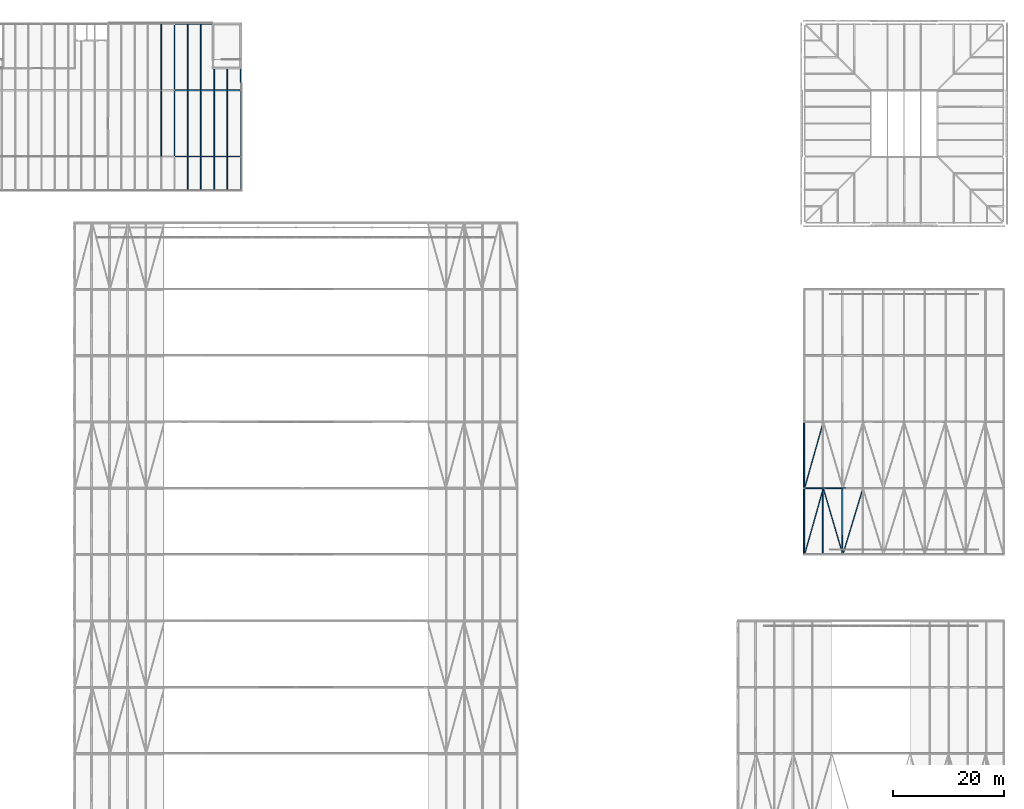
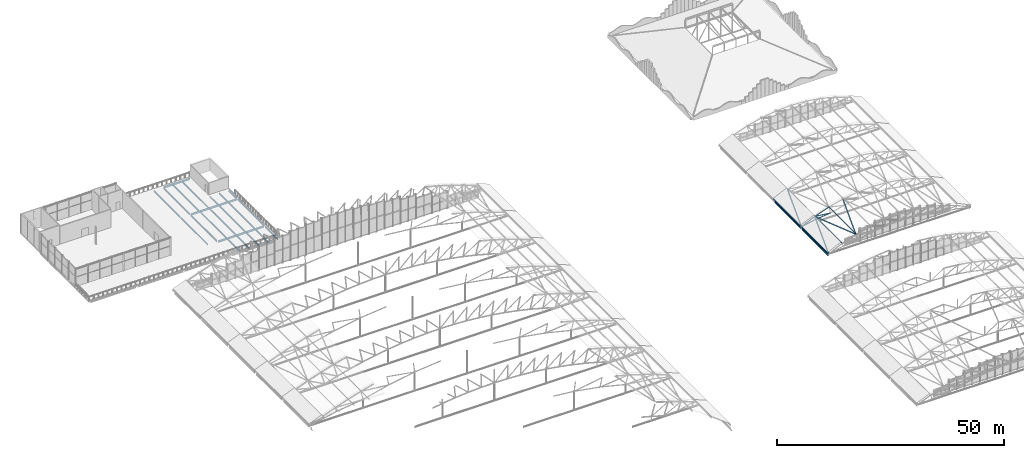
# One storey, part 206 of 321: 24 beams, 13 members.
"""IFC4 building model written with IfcOpenShell, lengths in metres."""

import ifcopenshell
import ifcopenshell.guid

model = None  # the IFC model being written
_history = None  # IfcOwnerHistory: only IFC2X3 demands one
_inside = {}  # id of a spatial element -> (the spatial element, [elements in it])
_under = {}  # id of a project, library or spatial element -> (it, [spatial elements below it])
_declared = {}  # id of a project -> (the project, [libraries it declares])
_typed = {}  # id of a type object -> (the type object, [elements of that type])
_made_of = {}  # id of a material, layer set ... -> (it, [elements and type objects made of it])


def new_model(schema):
    """Start an empty IFC model of exactly this schema.

    Asked for "IFC4X3", IfcOpenShell would pick the latest addendum, in which some entities
    have other attributes; the version numbers below select the first issue.
    IFC2X3 requires an IfcOwnerHistory on every rooted entity: one is made here for all.
    """
    global model, _history
    if schema == "IFC4X3":
        model = ifcopenshell.file(schema_version=(4, 3, 0, 0))
    else:
        model = ifcopenshell.file(schema=schema)
    _inside.clear()
    _under.clear()
    _declared.clear()
    _typed.clear()
    _made_of.clear()
    _history = None
    if model.schema == "IFC2X3":
        org = make("IfcOrganization", Name="unknown")
        user = make(
            "IfcPersonAndOrganization",
            ThePerson=make("IfcPerson", FamilyName="unknown"),
            TheOrganization=org,
        )
        app = make(
            "IfcApplication",
            ApplicationDeveloper=org,
            Version="unknown",
            ApplicationFullName="unknown",
            ApplicationIdentifier="unknown",
        )
        _history = make(
            "IfcOwnerHistory",
            OwningUser=user,
            OwningApplication=app,
            ChangeAction="ADDED",
            CreationDate=0,
        )
    return model


def make(cls, **values):
    """One entity of the class cls with the attributes given. An attribute that is None is left unset."""
    return model.create_entity(
        cls, **{name: value for name, value in values.items() if value is not None}
    )


def rooted(cls, **values):
    """An entity with a GlobalId (a new one), such as an element, a storey or a relation."""
    return make(cls, GlobalId=ifcopenshell.guid.new(), OwnerHistory=_history, **values)


def si_unit(unit_type, name, prefix=None):
    """IfcSIUnit, for example si_unit("LENGTHUNIT", "METRE", prefix="MILLI")."""
    return make("IfcSIUnit", UnitType=unit_type, Prefix=prefix, Name=name)


def assignment(units):
    """IfcUnitAssignment: the units of a project."""
    return None if units is None else make("IfcUnitAssignment", Units=units)


def point(xyz):
    """IfcCartesianPoint."""
    return None if xyz is None else make("IfcCartesianPoint", Coordinates=xyz)


def direction(xyz):
    """IfcDirection."""
    return None if xyz is None else make("IfcDirection", DirectionRatios=xyz)


def frame(location, z_axis=None, x_axis=None):
    """IfcAxis2Placement3D, a coordinate frame: its origin and axes. An axis left out is left unset."""
    return make(
        "IfcAxis2Placement3D",
        Location=point(location),
        Axis=direction(z_axis),
        RefDirection=direction(x_axis),
    )


def frame_2d(location, x_axis=None):
    """IfcAxis2Placement2D, a coordinate frame in the plane: its origin and x axis."""
    return make(
        "IfcAxis2Placement2D", Location=point(location), RefDirection=direction(x_axis)
    )


def origin():
    """The frame at (0, 0, 0) with its axes left unset."""
    return frame((0.0, 0.0, 0.0))


def origin_2d():
    """The frame at (0, 0) in the plane with its x axis left unset."""
    return frame_2d((0.0, 0.0))


def place(relative_to, where):
    """IfcLocalPlacement: puts the frame where relative to a parent placement (None: the world)."""
    return make(
        "IfcLocalPlacement", PlacementRelTo=relative_to, RelativePlacement=where
    )


def context(
    kind, dimensions, precision=None, world=None, true_north=None, identifier=None
):
    """IfcGeometricRepresentationContext, for example the 3D "Model" context."""
    return make(
        "IfcGeometricRepresentationContext",
        ContextIdentifier=identifier,
        ContextType=kind,
        CoordinateSpaceDimension=dimensions,
        Precision=precision,
        WorldCoordinateSystem=world,
        TrueNorth=true_north,
    )


def subcontext(parent, identifier, kind, view, scale=None):
    """IfcGeometricRepresentationSubContext, for example "Body" below "Model"."""
    return make(
        "IfcGeometricRepresentationSubContext",
        ContextIdentifier=identifier,
        ContextType=kind,
        ParentContext=parent,
        TargetScale=scale,
        TargetView=view,
    )


def project(units=None, contexts=None):
    """IfcProject with its units and contexts."""
    return rooted(
        "IfcProject",
        Name="project",
        RepresentationContexts=contexts,
        UnitsInContext=assignment(units),
    )


def spatial(cls, under=None, at=None, **own):
    """A site, building, storey or space (cls), placed at a placement, below another one or the project."""
    s = rooted(cls, ObjectPlacement=at, **own)
    if under is not None:
        _under.setdefault(under.id(), (under, []))[1].append(s)
    return s


def profile(cls, at=None, kind="AREA", **sizes):
    """A parametric profile (cls). Its sizes go by their IFC names, for example OverallWidth=200.0."""
    return make(cls, ProfileType=kind, Position=at, **sizes)


def hollow_circle(**sizes):
    """IfcCircleHollowProfileDef."""
    return profile("IfcCircleHollowProfileDef", **sizes)


def i_section(**sizes):
    """IfcIShapeProfileDef."""
    return profile("IfcIShapeProfileDef", **sizes)


def extrude(swept, where, along, depth):
    """IfcExtrudedAreaSolid: the profile swept, set in the frame where, extruded along a direction by depth."""
    return make(
        "IfcExtrudedAreaSolid",
        SweptArea=swept,
        Position=where,
        ExtrudedDirection=direction(along),
        Depth=depth,
    )


def shape(context_of_items, identifier, shape_type, items):
    """IfcShapeRepresentation: the items that make up one representation, for example the "Body"."""
    return make(
        "IfcShapeRepresentation",
        ContextOfItems=context_of_items,
        RepresentationIdentifier=identifier,
        RepresentationType=shape_type,
        Items=items,
    )


def material(Name=None, Category=None):
    """IfcMaterial."""
    return make("IfcMaterial", Name=Name, Category=Category)


def material_profile(
    of_material, cross_section, Name=None, Category=None, Priority=None
):
    """IfcMaterialProfile: a cross section and its material."""
    return make(
        "IfcMaterialProfile",
        Name=Name,
        Material=of_material,
        Profile=cross_section,
        Priority=Priority,
        Category=Category,
    )


def profile_set(profiles, Name=None, composite=None):
    """IfcMaterialProfileSet."""
    return make(
        "IfcMaterialProfileSet",
        Name=Name,
        MaterialProfiles=profiles,
        CompositeProfile=composite,
    )


def made_of(thing, what):
    """Note that an element or type object is made of a material, layer set ...; save() writes the relation."""
    if what is not None:
        _made_of.setdefault(what.id(), (what, []))[1].append(thing)
    return thing


def type_object(cls, material=None, **own):
    """A type object (cls), such as IfcWallType, which elements share."""
    return made_of(rooted(cls, **own), material)


def element(
    cls,
    number,
    at=None,
    inside=None,
    cuts=None,
    type_object=None,
    material=None,
    context=None,
    identifier="Body",
    shape_type=None,
    held_by="IfcProductDefinitionShape",
    body=None,
    shapes=None,
    **own,
):
    """One element of the class cls, such as IfcWall. Its Tag is "e" and its number.

    at: its placement. inside: the storey or other place that contains it. cuts: it is an
    opening in that element (IfcRelVoidsElement). A single representation is given by context,
    identifier, shape_type and body (its items); several are given by shapes. held_by: the class
    of the entity that holds the representations. save() writes the other relations.
    """
    e = rooted(cls, Tag="e%d" % number, ObjectPlacement=at, **own)
    if body is not None:
        shapes = [shape(context, identifier, shape_type, body)]
    if shapes is not None:
        e.Representation = make(held_by, Representations=shapes)
    if inside is not None:
        _inside.setdefault(inside.id(), (inside, []))[1].append(e)
    if cuts is not None:
        rooted(
            "IfcRelVoidsElement", RelatingBuildingElement=cuts, RelatedOpeningElement=e
        )
    if type_object is not None:
        _typed.setdefault(type_object.id(), (type_object, []))[1].append(e)
    return made_of(e, material)


def aggregate(whole, parts):
    """IfcRelAggregates: a whole, such as a stair, and the parts it consists of."""
    return rooted("IfcRelAggregates", RelatingObject=whole, RelatedObjects=parts)


def save(model, path):
    """Write the relations noted so far, then the file.

    IfcRelAggregates (storeys below a building ...), IfcRelContainedInSpatialStructure (elements
    in a storey), IfcRelDefinesByType, IfcRelAssociatesMaterial and IfcRelDeclares: one each for
    every whole, place, type object, material and project.
    """
    for whole, parts in _under.values():
        aggregate(whole, parts)
    for where, things in _inside.values():
        rooted(
            "IfcRelContainedInSpatialStructure",
            RelatedElements=things,
            RelatingStructure=where,
        )
    for kind, things in _typed.values():
        rooted("IfcRelDefinesByType", RelatedObjects=things, RelatingType=kind)
    for what, things in _made_of.values():
        rooted("IfcRelAssociatesMaterial", RelatedObjects=things, RelatingMaterial=what)
    for by, libraries in _declared.values():
        rooted("IfcRelDeclares", RelatingContext=by, RelatedDefinitions=libraries)
    model.write(path)


model = new_model("IFC4")

# Units and contexts
model_context = context("Model", 3, precision=1e-05, world=origin(), true_north=direction((0.0, 1.0)))
body_context = subcontext(model_context, "Body", "Model", "MODEL_VIEW")
ifc_project = project(units=[si_unit("LENGTHUNIT", "METRE"), si_unit("AREAUNIT", "SQUARE_METRE"), si_unit("VOLUMEUNIT", "CUBIC_METRE"), si_unit("PLANEANGLEUNIT", "RADIAN"), si_unit("MASSUNIT", "GRAM", prefix="KILO")], contexts=[model_context])

# Site, building, storey
site_placement = place(None, origin())
site = spatial("IfcSite", under=ifc_project, at=site_placement, CompositionType="ELEMENT")
building_placement = place(site_placement, origin())
building = spatial("IfcBuilding", under=site, at=building_placement, Name="Ravi Spectrum Wholesale Market", CompositionType="ELEMENT")
storey_placement = place(building_placement, frame((0.0, 0.0, 10.800048828125)))
storey = spatial("IfcBuildingStorey", under=building, at=storey_placement, Name="L02", CompositionType="ELEMENT", Elevation=10.800048828125)

# Members
ifc_material_1 = material(Name="Steel S355", Category="steel")
ifc_material_profile_1 = material_profile(ifc_material_1, hollow_circle(Radius=0.06982421875, WallThickness=0.0048828125, at=origin_2d()))
ifc_profile_set_1 = profile_set([ifc_material_profile_1], Name="Steel S355")
member_type_1 = type_object("IfcMemberType", Name="CHS 139.7x5 brace", PredefinedType="BRACE", material=ifc_profile_set_1)
member_1_placement = place(storey_placement, frame((165.38818359375, 150.0, 1.59912109375), z_axis=(0.993531900469, 0.0, -0.113553347597), x_axis=(0.0, 1.0, 0.0)))
element("IfcMember", 1, at=member_1_placement, inside=storey, type_object=member_type_1, Name="H3-MB-L02-070", PredefinedType="BRACE", context=body_context, shape_type="SweptSolid", body=[
    extrude(hollow_circle(Radius=0.06982421875, WallThickness=0.0048828125, at=origin_2d()), origin(), (0.0, 0.0, 1.0), 4.076416015625),
])
ifc_material_2 = material(Name="Steel S355", Category="steel")
ifc_material_profile_2 = material_profile(ifc_material_2, hollow_circle(Radius=0.096923828125, WallThickness=0.00634765625, at=origin_2d()))
ifc_profile_set_2 = profile_set([ifc_material_profile_2], Name="Steel S355")
member_type_2 = type_object("IfcMemberType", Name="CHS 193.7x6.3 brace", PredefinedType="BRACE", material=ifc_profile_set_2)
for number, where, z_axis, x_axis, name in (
    (2, (162.0, 138.0, 0.0), (0.269517878367, 0.954557051268, 0.127204359656), (-0.962374874633, 0.271725230106, 0.0), "H3-MB-L02-245"),
    (3, (165.38818359375, 150.0, 1.59912109375), (0.280683416408, -0.954552776812, 0.100228818382), (0.959383837191, 0.282103975401, 0.0), "H3-MB-L02-246"),
    (4, (168.916748046875, 138.0, 2.859130859375), (0.289132354116, 0.954556251311, 0.072283088529), (-0.957059770141, 0.289890662798, 0.0), "H3-MB-L02-247"),
    (5, (162.0, 150.0, 0.0), (0.269517878367, 0.954557051268, 0.127204359656), (-0.962374874633, 0.271725230106, 0.0), "H3-MB-L02-255"),
):
    element("IfcMember", number, at=place(storey_placement, frame(where, z_axis=z_axis, x_axis=x_axis)), inside=storey, type_object=member_type_2, Name=name, PredefinedType="BRACE", context=body_context, shape_type="SweptSolid", body=[
        extrude(hollow_circle(Radius=0.096923828125, WallThickness=0.00634765625, at=origin_2d()), origin(), (0.0, 0.0, 1.0), 12.5712890625),
    ])
ifc_material_3 = material(Name="Steel S355", Category="steel")
ifc_material_profile_3 = material_profile(ifc_material_3, hollow_circle(Radius=0.122314453125, WallThickness=0.008056640625, at=origin_2d()))
ifc_profile_set_3 = profile_set([ifc_material_profile_3], Name="Steel S355")
member_type_3 = type_object("IfcMemberType", Name="CHS 244.5x8 chord", PredefinedType="CHORD", material=ifc_profile_set_3)
member_2_placement = place(storey_placement, frame((162.0, 150.0, 0.0), z_axis=(0.979511723372, 0.0, 0.201387148987), x_axis=(0.0, 1.0, 0.0)))
element("IfcMember", 6, at=member_2_placement, inside=storey, type_object=member_type_3, Name="H3-MB-L02-051", PredefinedType="CHORD", context=body_context, shape_type="SweptSolid", body=[
    extrude(hollow_circle(Radius=0.122314453125, WallThickness=0.008056640625, at=origin_2d()), origin(), (0.0, 0.0, 1.0), 3.810302734375),
])
member_3_placement = place(storey_placement, frame((165.732177734375, 150.0, 0.767333984375), z_axis=(0.995082518714, 0.0, 0.099049386415), x_axis=(0.0, 1.0, 0.0)))
element("IfcMember", 7, at=member_3_placement, inside=storey, type_object=member_type_3, Name="H3-MB-L02-052", PredefinedType="CHORD", context=body_context, shape_type="SweptSolid", body=[
    extrude(hollow_circle(Radius=0.122314453125, WallThickness=0.008056640625, at=origin_2d()), origin(), (0.0, 0.0, 1.0), 3.724365234375),
])
ifc_material_4 = material(Name="Steel S355", Category="steel")
ifc_material_profile_4 = material_profile(ifc_material_4, hollow_circle(Radius=0.136474609375, WallThickness=0.010009765625, at=origin_2d()))
ifc_profile_set_4 = profile_set([ifc_material_profile_4], Name="Steel S355")
member_type_4 = type_object("IfcMemberType", Name="CHS 273x10 chord", PredefinedType="CHORD", material=ifc_profile_set_4)
member_4_placement = place(storey_placement, frame((162.0, 150.0, 0.0), z_axis=(0.904336690514, 0.0, 0.426819809978), x_axis=(0.0, 1.0, 0.0)))
element("IfcMember", 8, at=member_4_placement, inside=storey, type_object=member_type_4, Name="H3-MB-L02-041", PredefinedType="CHORD", context=body_context, shape_type="SweptSolid", body=[
    extrude(hollow_circle(Radius=0.136474609375, WallThickness=0.010009765625, at=origin_2d()), origin(), (0.0, 0.0, 1.0), 3.74658203125),
])
member_5_placement = place(storey_placement, frame((165.38818359375, 150.0, 1.59912109375), z_axis=(0.941758126801, 0.0, 0.336290990965), x_axis=(0.0, 1.0, 0.0)))
element("IfcMember", 9, at=member_5_placement, inside=storey, type_object=member_type_4, Name="H3-MB-L02-042", PredefinedType="CHORD", context=body_context, shape_type="SweptSolid", body=[
    extrude(hollow_circle(Radius=0.136474609375, WallThickness=0.010009765625, at=origin_2d()), origin(), (0.0, 0.0, 1.0), 3.746826171875),
])
ifc_material_5 = material(Name="Steel S355", Category="steel")
ifc_material_profile_5 = material_profile(ifc_material_5, i_section(OverallWidth=0.135009765625, OverallDepth=0.27001953125, WebThickness=0.006591796875, FlangeThickness=0.01025390625, at=origin_2d()))
ifc_profile_set_5 = profile_set([ifc_material_profile_5], Name="Steel S355")
member_type_5 = type_object("IfcMemberType", Name="IPE 270 purlin", PredefinedType="PURLIN", material=ifc_profile_set_5)
for number, where, z_axis, x_axis, name in (
    (10, (161.872314453125, 138.0, 0.239501953125), (0.0, 1.0, 0.0), (-0.88235294065, 0.0, -0.470588236282), "H3-MB-L02-201"),
    (11, (165.28466796875, 138.0, 1.85009765625), (0.0, 1.0, 0.0), (-0.924159872545, 0.0, -0.382005929244), "H3-MB-L02-202"),
    (12, (168.838134765625, 138.0, 3.118896484375), (0.0, 1.0, 0.0), (-0.957099823898, 0.0, -0.289758394347), "H3-MB-L02-203"),
    (13, (161.872314453125, 150.0, 0.239501953125), (0.0, 1.0, 0.0), (-0.88235294065, 0.0, -0.470588236282), "H3-MB-L02-212"),
):
    element("IfcMember", number, at=place(storey_placement, frame(where, z_axis=z_axis, x_axis=x_axis)), inside=storey, type_object=member_type_5, Name=name, PredefinedType="PURLIN", context=body_context, shape_type="SweptSolid", body=[
        extrude(i_section(OverallWidth=0.135009765625, OverallDepth=0.27001953125, WebThickness=0.006591796875, FlangeThickness=0.01025390625, at=origin_2d()), origin(), (0.0, 0.0, 1.0), 12.0),
    ])

# Beams
ifc_material_6 = material(Name="Steel S355", Category="steel")
ifc_material_profile_6 = material_profile(ifc_material_6, i_section(OverallWidth=0.179931640625, OverallDepth=0.39990234375, WebThickness=0.008544921875, FlangeThickness=0.013427734375, at=origin_2d()))
ifc_profile_set_6 = profile_set([ifc_material_profile_6], Name="Steel S355")
beam_type_1 = type_object("IfcBeamType", Name="IPE 400 girder", PredefinedType="BEAM", material=ifc_profile_set_6)
for number, where, z_axis, x_axis, name in (
    (14, (45.60009765625, 210.10009765625, -0.449951171875), (0.0, 1.0, 0.0), (-1.0, 0.0, 0.0), "OF-BM-L02-064"),
    (15, (45.60009765625, 222.10009765625, -0.449951171875), (0.0, 1.0, 0.0), (-1.0, 0.0, 0.0), "OF-BM-L02-068"),
):
    element("IfcBeam", number, at=place(storey_placement, frame(where, z_axis=z_axis, x_axis=x_axis)), inside=storey, type_object=beam_type_1, Name=name, PredefinedType="BEAM", context=body_context, shape_type="SweptSolid", body=[
        extrude(i_section(OverallWidth=0.179931640625, OverallDepth=0.39990234375, WebThickness=0.008544921875, FlangeThickness=0.013427734375, at=origin_2d()), origin(), (0.0, 0.0, 1.0), 11.7998046875),
    ])
for number, where, z_axis, x_axis, name in (
    (16, (50.39990234375, 204.10009765625, -0.449951171875), (0.0, 1.0, 0.0), (-1.0, 0.0, 0.0), "OF-BM-L02-069"),
    (17, (52.800048828125, 204.10009765625, -0.449951171875), (0.0, 1.0, 0.0), (-1.0, 0.0, 0.0), "OF-BM-L02-070"),
    (18, (55.199951171875, 204.10009765625, -0.449951171875), (0.0, 1.0, 0.0), (-1.0, 0.0, 0.0), "OF-BM-L02-071"),
    (19, (57.60009765625, 204.10009765625, -0.449951171875), (0.0, 1.0, 0.0), (-1.0, 0.0, 0.0), "OF-BM-L02-072"),
):
    element("IfcBeam", number, at=place(storey_placement, frame(where, z_axis=z_axis, x_axis=x_axis)), inside=storey, type_object=beam_type_1, Name=name, PredefinedType="BEAM", context=body_context, shape_type="SweptSolid", body=[
        extrude(i_section(OverallWidth=0.179931640625, OverallDepth=0.39990234375, WebThickness=0.008544921875, FlangeThickness=0.013427734375, at=origin_2d()), origin(), (0.0, 0.0, 1.0), 5.7998046875),
    ])
for number, where, z_axis, x_axis, name in (
    (20, (50.39990234375, 210.10009765625, -0.449951171875), (0.0, 1.0, 0.0), (-1.0, 0.0, 0.0), "OF-BM-L02-073"),
    (21, (52.800048828125, 210.10009765625, -0.449951171875), (0.0, 1.0, 0.0), (-1.0, 0.0, 0.0), "OF-BM-L02-074"),
    (22, (55.199951171875, 210.10009765625, -0.449951171875), (0.0, 1.0, 0.0), (-1.0, 0.0, 0.0), "OF-BM-L02-075"),
    (23, (57.60009765625, 210.10009765625, -0.449951171875), (0.0, 1.0, 0.0), (-1.0, 0.0, 0.0), "OF-BM-L02-076"),
    (24, (50.39990234375, 222.10009765625, -0.449951171875), (0.0, 1.0, 0.0), (-1.0, 0.0, 0.0), "OF-BM-L02-077"),
    (25, (52.800048828125, 222.10009765625, -0.449951171875), (0.0, 1.0, 0.0), (-1.0, 0.0, 0.0), "OF-BM-L02-078"),
):
    element("IfcBeam", number, at=place(storey_placement, frame(where, z_axis=z_axis, x_axis=x_axis)), inside=storey, type_object=beam_type_1, Name=name, PredefinedType="BEAM", context=body_context, shape_type="SweptSolid", body=[
        extrude(i_section(OverallWidth=0.179931640625, OverallDepth=0.39990234375, WebThickness=0.008544921875, FlangeThickness=0.013427734375, at=origin_2d()), origin(), (0.0, 0.0, 1.0), 11.7998046875),
    ])
for number, where, z_axis, x_axis, name in (
    (26, (55.199951171875, 222.10009765625, -0.449951171875), (0.0, 1.0, 0.0), (-1.0, 0.0, 0.0), "OF-BM-L02-079"),
    (27, (57.60009765625, 222.10009765625, -0.449951171875), (0.0, 1.0, 0.0), (-1.0, 0.0, 0.0), "OF-BM-L02-080"),
):
    element("IfcBeam", number, at=place(storey_placement, frame(where, z_axis=z_axis, x_axis=x_axis)), inside=storey, type_object=beam_type_1, Name=name, PredefinedType="BEAM", context=body_context, shape_type="SweptSolid", body=[
        extrude(i_section(OverallWidth=0.179931640625, OverallDepth=0.39990234375, WebThickness=0.008544921875, FlangeThickness=0.013427734375, at=origin_2d()), origin(), (0.0, 0.0, 1.0), 3.77490234375),
    ])
ifc_material_7 = material(Name="Steel S355", Category="steel")
ifc_material_profile_7 = material_profile(ifc_material_7, i_section(OverallWidth=0.18994140625, OverallDepth=0.449951171875, WebThickness=0.009521484375, FlangeThickness=0.0146484375, at=origin_2d()))
ifc_profile_set_7 = profile_set([ifc_material_profile_7], Name="Steel S355")
beam_type_2 = type_object("IfcBeamType", Name="IPE 450 girder", PredefinedType="BEAM", material=ifc_profile_set_7)
for number, where, z_axis, x_axis, name in (
    (28, (162.0, 138.177734375, -0.425048828125), (0.0, 1.0, 0.0), (-1.0, 0.0, 0.0), "H3-BM-L02-001"),
    (29, (162.0, 150.177734375, -0.425048828125), (0.0, 1.0, 0.0), (-1.0, 0.0, 0.0), "H3-BM-L02-002"),
):
    element("IfcBeam", number, at=place(storey_placement, frame(where, z_axis=z_axis, x_axis=x_axis)), inside=storey, type_object=beam_type_2, Name=name, PredefinedType="BEAM", context=body_context, shape_type="SweptSolid", body=[
        extrude(i_section(OverallWidth=0.18994140625, OverallDepth=0.449951171875, WebThickness=0.009521484375, FlangeThickness=0.0146484375, at=origin_2d()), origin(), (0.0, 0.0, 1.0), 11.64453125),
    ])
for number, where, z_axis, x_axis, name in (
    (30, (48.0, 210.14990234375, -0.47509765625), (0.0, 1.0, 0.0), (-1.0, 0.0, 0.0), "OF-BM-L02-028"),
    (31, (48.0, 222.14990234375, -0.47509765625), (0.0, 1.0, 0.0), (-1.0, 0.0, 0.0), "OF-BM-L02-029"),
):
    element("IfcBeam", number, at=place(storey_placement, frame(where, z_axis=z_axis, x_axis=x_axis)), inside=storey, type_object=beam_type_2, Name=name, PredefinedType="BEAM", context=body_context, shape_type="SweptSolid", body=[
        extrude(i_section(OverallWidth=0.18994140625, OverallDepth=0.449951171875, WebThickness=0.009521484375, FlangeThickness=0.0146484375, at=origin_2d()), origin(), (0.0, 0.0, 1.0), 11.7001953125),
    ])
beam_1_placement = place(storey_placement, frame((60.0, 204.177734375, -0.47509765625), z_axis=(0.0, 1.0, 0.0), x_axis=(-1.0, 0.0, 0.0)))
element("IfcBeam", 32, at=beam_1_placement, inside=storey, type_object=beam_type_2, Name="OF-BM-L02-030", PredefinedType="BEAM", context=body_context, shape_type="SweptSolid", body=[
    extrude(i_section(OverallWidth=0.18994140625, OverallDepth=0.449951171875, WebThickness=0.009521484375, FlangeThickness=0.0146484375, at=origin_2d()), origin(), (0.0, 0.0, 1.0), 5.67236328125),
])
beam_2_placement = place(storey_placement, frame((60.0, 210.14990234375, -0.47509765625), z_axis=(0.0, 1.0, 0.0), x_axis=(-1.0, 0.0, 0.0)))
element("IfcBeam", 33, at=beam_2_placement, inside=storey, type_object=beam_type_2, Name="OF-BM-L02-031", PredefinedType="BEAM", context=body_context, shape_type="SweptSolid", body=[
    extrude(i_section(OverallWidth=0.18994140625, OverallDepth=0.449951171875, WebThickness=0.009521484375, FlangeThickness=0.0146484375, at=origin_2d()), origin(), (0.0, 0.0, 1.0), 11.7001953125),
])
beam_3_placement = place(storey_placement, frame((60.0, 222.14990234375, -0.47509765625), z_axis=(0.0, 1.0, 0.0), x_axis=(-1.0, 0.0, 0.0)))
element("IfcBeam", 34, at=beam_3_placement, inside=storey, type_object=beam_type_2, Name="OF-BM-L02-032", PredefinedType="BEAM", context=body_context, shape_type="SweptSolid", body=[
    extrude(i_section(OverallWidth=0.18994140625, OverallDepth=0.449951171875, WebThickness=0.009521484375, FlangeThickness=0.0146484375, at=origin_2d()), origin(), (0.0, 0.0, 1.0), 3.72509765625),
])
ifc_material_8 = material(Name="Steel S355", Category="steel")
ifc_material_profile_8 = material_profile(ifc_material_8, i_section(OverallWidth=0.199951171875, OverallDepth=0.5, WebThickness=0.01025390625, FlangeThickness=0.01611328125, at=origin_2d()))
ifc_profile_set_8 = profile_set([ifc_material_profile_8], Name="Steel S355")
beam_type_3 = type_object("IfcBeamType", Name="IPE 500 beam", PredefinedType="BEAM", material=ifc_profile_set_8)
for number, where, z_axis, x_axis, name in (
    (35, (48.14990234375, 210.0, -0.5), (1.0, 0.0, 0.0), (0.0, 1.0, 0.0), "OF-BM-L02-008"),
    (36, (48.14990234375, 222.0, -0.5), (1.0, 0.0, 0.0), (0.0, 1.0, 0.0), "OF-BM-L02-012"),
):
    element("IfcBeam", number, at=place(storey_placement, frame(where, z_axis=z_axis, x_axis=x_axis)), inside=storey, type_object=beam_type_3, Name=name, PredefinedType="BEAM", context=body_context, shape_type="SweptSolid", body=[
        extrude(i_section(OverallWidth=0.199951171875, OverallDepth=0.5, WebThickness=0.01025390625, FlangeThickness=0.01611328125, at=origin_2d()), origin(), (0.0, 0.0, 1.0), 11.7001953125),
    ])
beam_4_placement = place(storey_placement, frame((48.14990234375, 234.0, -0.5), z_axis=(1.0, 0.0, 0.0), x_axis=(0.0, 1.0, 0.0)))
element("IfcBeam", 37, at=beam_4_placement, inside=storey, type_object=beam_type_3, Name="OF-BM-L02-017", PredefinedType="BEAM", context=body_context, shape_type="SweptSolid", body=[
    extrude(i_section(OverallWidth=0.199951171875, OverallDepth=0.5, WebThickness=0.01025390625, FlangeThickness=0.01611328125, at=origin_2d()), origin(), (0.0, 0.0, 1.0), 6.72509765625),
])

save(model, "model.ifc")
